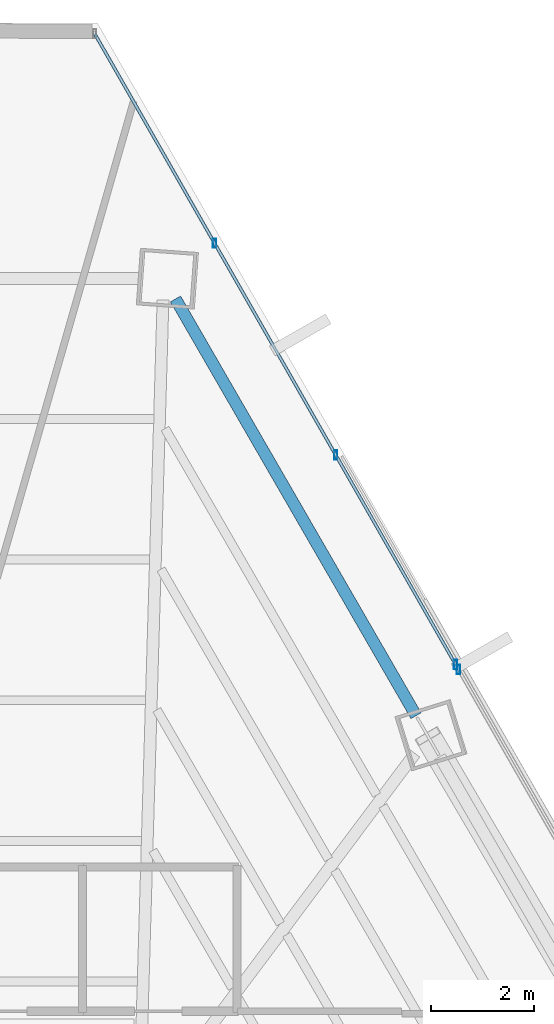
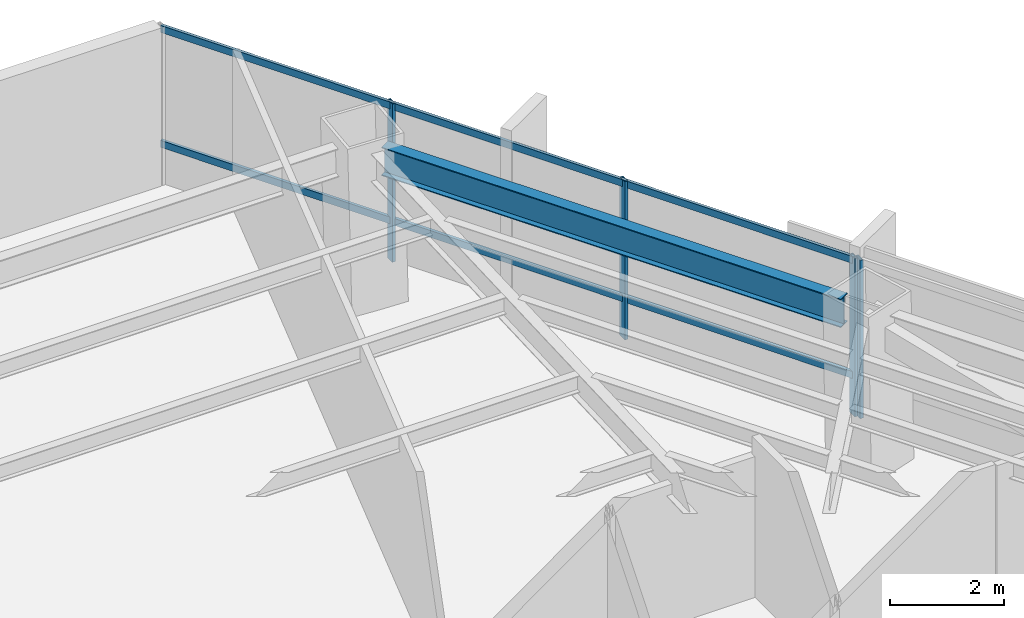
# One storey, part 29 of 36: 6 members, 1 beam, 2 elements without a shape of their own.
"""IFC4 building model written with IfcOpenShell, lengths in metres."""

import ifcopenshell
import ifcopenshell.guid

model = None  # the IFC model being written
_history = None  # IfcOwnerHistory: only IFC2X3 demands one
_inside = {}  # id of a spatial element -> (the spatial element, [elements in it])
_under = {}  # id of a project, library or spatial element -> (it, [spatial elements below it])
_declared = {}  # id of a project -> (the project, [libraries it declares])
_typed = {}  # id of a type object -> (the type object, [elements of that type])
_made_of = {}  # id of a material, layer set ... -> (it, [elements and type objects made of it])


def new_model(schema):
    """Start an empty IFC model of exactly this schema.

    Asked for "IFC4X3", IfcOpenShell would pick the latest addendum, in which some entities
    have other attributes; the version numbers below select the first issue.
    IFC2X3 requires an IfcOwnerHistory on every rooted entity: one is made here for all.
    """
    global model, _history
    if schema == "IFC4X3":
        model = ifcopenshell.file(schema_version=(4, 3, 0, 0))
    else:
        model = ifcopenshell.file(schema=schema)
    _inside.clear()
    _under.clear()
    _declared.clear()
    _typed.clear()
    _made_of.clear()
    _history = None
    if model.schema == "IFC2X3":
        org = make("IfcOrganization", Name="unknown")
        user = make(
            "IfcPersonAndOrganization",
            ThePerson=make("IfcPerson", FamilyName="unknown"),
            TheOrganization=org,
        )
        app = make(
            "IfcApplication",
            ApplicationDeveloper=org,
            Version="unknown",
            ApplicationFullName="unknown",
            ApplicationIdentifier="unknown",
        )
        _history = make(
            "IfcOwnerHistory",
            OwningUser=user,
            OwningApplication=app,
            ChangeAction="ADDED",
            CreationDate=0,
        )
    return model


def make(cls, **values):
    """One entity of the class cls with the attributes given. An attribute that is None is left unset."""
    return model.create_entity(
        cls, **{name: value for name, value in values.items() if value is not None}
    )


def rooted(cls, **values):
    """An entity with a GlobalId (a new one), such as an element, a storey or a relation."""
    return make(cls, GlobalId=ifcopenshell.guid.new(), OwnerHistory=_history, **values)


def si_unit(unit_type, name, prefix=None):
    """IfcSIUnit, for example si_unit("LENGTHUNIT", "METRE", prefix="MILLI")."""
    return make("IfcSIUnit", UnitType=unit_type, Prefix=prefix, Name=name)


def assignment(units):
    """IfcUnitAssignment: the units of a project."""
    return None if units is None else make("IfcUnitAssignment", Units=units)


def point(xyz):
    """IfcCartesianPoint."""
    return None if xyz is None else make("IfcCartesianPoint", Coordinates=xyz)


def direction(xyz):
    """IfcDirection."""
    return None if xyz is None else make("IfcDirection", DirectionRatios=xyz)


def frame(location, z_axis=None, x_axis=None):
    """IfcAxis2Placement3D, a coordinate frame: its origin and axes. An axis left out is left unset."""
    return make(
        "IfcAxis2Placement3D",
        Location=point(location),
        Axis=direction(z_axis),
        RefDirection=direction(x_axis),
    )


def frame_2d(location, x_axis=None):
    """IfcAxis2Placement2D, a coordinate frame in the plane: its origin and x axis."""
    return make(
        "IfcAxis2Placement2D", Location=point(location), RefDirection=direction(x_axis)
    )


def origin():
    """The frame at (0, 0, 0) with its axes left unset."""
    return frame((0.0, 0.0, 0.0))


def origin_2d():
    """The frame at (0, 0) in the plane with its x axis left unset."""
    return frame_2d((0.0, 0.0))


def place(relative_to, where):
    """IfcLocalPlacement: puts the frame where relative to a parent placement (None: the world)."""
    return make(
        "IfcLocalPlacement", PlacementRelTo=relative_to, RelativePlacement=where
    )


def context(
    kind, dimensions, precision=None, world=None, true_north=None, identifier=None
):
    """IfcGeometricRepresentationContext, for example the 3D "Model" context."""
    return make(
        "IfcGeometricRepresentationContext",
        ContextIdentifier=identifier,
        ContextType=kind,
        CoordinateSpaceDimension=dimensions,
        Precision=precision,
        WorldCoordinateSystem=world,
        TrueNorth=true_north,
    )


def subcontext(parent, identifier, kind, view, scale=None):
    """IfcGeometricRepresentationSubContext, for example "Body" below "Model"."""
    return make(
        "IfcGeometricRepresentationSubContext",
        ContextIdentifier=identifier,
        ContextType=kind,
        ParentContext=parent,
        TargetScale=scale,
        TargetView=view,
    )


def project(units=None, contexts=None):
    """IfcProject with its units and contexts."""
    return rooted(
        "IfcProject",
        Name="project",
        RepresentationContexts=contexts,
        UnitsInContext=assignment(units),
    )


def spatial(cls, under=None, at=None, **own):
    """A site, building, storey or space (cls), placed at a placement, below another one or the project."""
    s = rooted(cls, ObjectPlacement=at, **own)
    if under is not None:
        _under.setdefault(under.id(), (under, []))[1].append(s)
    return s


def profile(cls, at=None, kind="AREA", **sizes):
    """A parametric profile (cls). Its sizes go by their IFC names, for example OverallWidth=200.0."""
    return make(cls, ProfileType=kind, Position=at, **sizes)


def hollow_rectangle(**sizes):
    """IfcRectangleHollowProfileDef."""
    return profile("IfcRectangleHollowProfileDef", **sizes)


def i_section(**sizes):
    """IfcIShapeProfileDef."""
    return profile("IfcIShapeProfileDef", **sizes)


def extrude(swept, where, along, depth):
    """IfcExtrudedAreaSolid: the profile swept, set in the frame where, extruded along a direction by depth."""
    return make(
        "IfcExtrudedAreaSolid",
        SweptArea=swept,
        Position=where,
        ExtrudedDirection=direction(along),
        Depth=depth,
    )


def shape(context_of_items, identifier, shape_type, items):
    """IfcShapeRepresentation: the items that make up one representation, for example the "Body"."""
    return make(
        "IfcShapeRepresentation",
        ContextOfItems=context_of_items,
        RepresentationIdentifier=identifier,
        RepresentationType=shape_type,
        Items=items,
    )


def source(mapping_origin, context_of_items, identifier, shape_type, items):
    """IfcRepresentationMap: a shape defined once, which mapped items show again and again."""
    return make(
        "IfcRepresentationMap",
        MappingOrigin=mapping_origin,
        MappedRepresentation=shape(context_of_items, identifier, shape_type, items),
    )


def transform(
    local_origin,
    x_axis=None,
    y_axis=None,
    z_axis=None,
    scale=None,
    scale2=None,
    scale3=None,
    uniform=True,
):
    """IfcCartesianTransformationOperator3D, or its non-uniform kind. x_axis, y_axis, z_axis: its Axis1, 2, 3."""
    if uniform:
        return make(
            "IfcCartesianTransformationOperator3D",
            Axis1=direction(x_axis),
            Axis2=direction(y_axis),
            LocalOrigin=point(local_origin),
            Scale=scale,
            Axis3=direction(z_axis),
        )
    return make(
        "IfcCartesianTransformationOperator3DnonUniform",
        Axis1=direction(x_axis),
        Axis2=direction(y_axis),
        LocalOrigin=point(local_origin),
        Scale=scale,
        Axis3=direction(z_axis),
        Scale2=scale2,
        Scale3=scale3,
    )


def mapped(mapping_source, mapping_target):
    """IfcMappedItem: shows the shape of a source again, moved by a transform."""
    return make(
        "IfcMappedItem", MappingSource=mapping_source, MappingTarget=mapping_target
    )


def material(Name=None, Category=None):
    """IfcMaterial."""
    return make("IfcMaterial", Name=Name, Category=Category)


def material_profile(
    of_material, cross_section, Name=None, Category=None, Priority=None
):
    """IfcMaterialProfile: a cross section and its material."""
    return make(
        "IfcMaterialProfile",
        Name=Name,
        Material=of_material,
        Profile=cross_section,
        Priority=Priority,
        Category=Category,
    )


def profile_set(profiles, Name=None, composite=None):
    """IfcMaterialProfileSet."""
    return make(
        "IfcMaterialProfileSet",
        Name=Name,
        MaterialProfiles=profiles,
        CompositeProfile=composite,
    )


def made_of(thing, what):
    """Note that an element or type object is made of a material, layer set ...; save() writes the relation."""
    if what is not None:
        _made_of.setdefault(what.id(), (what, []))[1].append(thing)
    return thing


def type_object(cls, material=None, **own):
    """A type object (cls), such as IfcWallType, which elements share."""
    return made_of(rooted(cls, **own), material)


def type_shapes(of_type, sources):
    """Give a type object the sources (RepresentationMaps) that its elements show as mapped items."""
    of_type.RepresentationMaps = sources


def element(
    cls,
    number,
    at=None,
    inside=None,
    cuts=None,
    type_object=None,
    material=None,
    context=None,
    identifier="Body",
    shape_type=None,
    held_by="IfcProductDefinitionShape",
    body=None,
    shapes=None,
    **own,
):
    """One element of the class cls, such as IfcWall. Its Tag is "e" and its number.

    at: its placement. inside: the storey or other place that contains it. cuts: it is an
    opening in that element (IfcRelVoidsElement). A single representation is given by context,
    identifier, shape_type and body (its items); several are given by shapes. held_by: the class
    of the entity that holds the representations. save() writes the other relations.
    """
    e = rooted(cls, Tag="e%d" % number, ObjectPlacement=at, **own)
    if body is not None:
        shapes = [shape(context, identifier, shape_type, body)]
    if shapes is not None:
        e.Representation = make(held_by, Representations=shapes)
    if inside is not None:
        _inside.setdefault(inside.id(), (inside, []))[1].append(e)
    if cuts is not None:
        rooted(
            "IfcRelVoidsElement", RelatingBuildingElement=cuts, RelatedOpeningElement=e
        )
    if type_object is not None:
        _typed.setdefault(type_object.id(), (type_object, []))[1].append(e)
    return made_of(e, material)


def aggregate(whole, parts):
    """IfcRelAggregates: a whole, such as a stair, and the parts it consists of."""
    return rooted("IfcRelAggregates", RelatingObject=whole, RelatedObjects=parts)


def save(model, path):
    """Write the relations noted so far, then the file.

    IfcRelAggregates (storeys below a building ...), IfcRelContainedInSpatialStructure (elements
    in a storey), IfcRelDefinesByType, IfcRelAssociatesMaterial and IfcRelDeclares: one each for
    every whole, place, type object, material and project.
    """
    for whole, parts in _under.values():
        aggregate(whole, parts)
    for where, things in _inside.values():
        rooted(
            "IfcRelContainedInSpatialStructure",
            RelatedElements=things,
            RelatingStructure=where,
        )
    for kind, things in _typed.values():
        rooted("IfcRelDefinesByType", RelatedObjects=things, RelatingType=kind)
    for what, things in _made_of.values():
        rooted("IfcRelAssociatesMaterial", RelatedObjects=things, RelatingMaterial=what)
    for by, libraries in _declared.values():
        rooted("IfcRelDeclares", RelatingContext=by, RelatedDefinitions=libraries)
    model.write(path)


model = new_model("IFC4")

# Units and contexts
model_context = context("Model", 3, precision=1e-05, world=origin(), true_north=direction((0.0, 1.0)))
body_context = subcontext(model_context, "Body", "Model", "MODEL_VIEW")
ifc_project = project(units=[si_unit("LENGTHUNIT", "METRE"), si_unit("AREAUNIT", "SQUARE_METRE"), si_unit("VOLUMEUNIT", "CUBIC_METRE"), si_unit("PLANEANGLEUNIT", "RADIAN"), si_unit("MASSUNIT", "GRAM", prefix="KILO")], contexts=[model_context])

# Site, building, storey
site_placement = place(None, origin())
site = spatial("IfcSite", under=ifc_project, at=site_placement, CompositionType="ELEMENT")
building_placement = place(site_placement, origin())
building = spatial("IfcBuilding", under=site, at=building_placement, Name="Caelisora Broadcast Tower", CompositionType="ELEMENT")
storey_placement = place(building_placement, frame((0.0, 0.0, 79.85009765625)))
storey = spatial("IfcBuildingStorey", under=building, at=storey_placement, Name="L20", CompositionType="ELEMENT", Elevation=79.85009765625)

# Beam
ifc_material_1 = material(Name="Steel Grade 350 (AS/NZS 3679.1)", Category="steel")
ifc_material_profile_1 = material_profile(ifc_material_1, i_section(OverallWidth=0.22900390625, OverallDepth=0.611572265625, WebThickness=0.011962890625, FlangeThickness=0.01953125, at=origin_2d()), Name="Steel Grade 350 (AS/NZS 3679.1)")
ifc_profile_set_1 = profile_set([ifc_material_profile_1], Name="Steel Grade 350 (AS/NZS 3679.1)")
beam_type = type_object("IfcBeamType", Name="PG03", PredefinedType="BEAM", material=ifc_profile_set_1)
shared_shape_1 = source(origin(), body_context, "Body", "SweptSolid", [
    extrude(i_section(OverallWidth=0.22900390625, OverallDepth=0.611572265625, WebThickness=0.011962890625, FlangeThickness=0.01953125, at=origin_2d()), origin(), (0.0, 0.0, 1.0), 9.336669921875),
])
type_shapes(beam_type, [shared_shape_1])
beam_placement = place(storey_placement, frame((50.87451171875, 37.885986328125, 3.093994140625), z_axis=(-0.499983508464, 0.866034924968, 0.0), x_axis=(-0.866034924968, -0.499983508464, 0.0)))
element("IfcBeam", 1, at=beam_placement, inside=storey, type_object=beam_type, Name="L20 beam PG03", PredefinedType="BEAM", context=body_context, shape_type="MappedRepresentation", body=[
    mapped(shared_shape_1, transform((0.0, 0.0, 0.0), scale=1.0)),
])

# Curtain wall, members
ifc_material_2 = material(Name="Unitised Aluminium and Low-E Glass Curtain Wall", Category="glass")
curtain_wall_type_1 = type_object("IfcCurtainWallType", Name="CW-Z2", PredefinedType="NOTDEFINED", material=ifc_material_2)
curtain_wall_1_placement = place(storey_placement, origin())
curtain_wall_1 = element("IfcCurtainWall", 2, at=curtain_wall_1_placement, inside=storey, type_object=curtain_wall_type_1, Name="L20 curtain wall CW-Z2", PredefinedType="NOTDEFINED")
ifc_material_3 = material(Name="Aluminium 6063-T6 Anodised Terracotta Bronze", Category="aluminium")
ifc_material_profile_2 = material_profile(ifc_material_3, hollow_rectangle(XDim=0.06494140625, YDim=0.179931640625, WallThickness=0.00341796875, at=origin_2d()), Name="Aluminium 6063-T6 Anodised Terracotta Bronze")
ifc_profile_set_2 = profile_set([ifc_material_profile_2], Name="Aluminium 6063-T6 Anodised Terracotta Bronze")
member_type_1 = type_object("IfcMemberType", Name="CWM-02", PredefinedType="MULLION", material=ifc_profile_set_2)
shared_shape_2 = source(origin(), body_context, "Body", "SweptSolid", [
    extrude(hollow_rectangle(XDim=0.06494140625, YDim=0.179931640625, WallThickness=0.00341796875, at=origin_2d()), origin(), (0.0, 0.0, 1.0), 3.39990234375),
])
type_shapes(member_type_1, [shared_shape_2])
member_1_placement = place(storey_placement, frame((46.965087890625, 47.052490234375, 0.0), z_axis=(0.0, 0.0, 1.0), x_axis=(1.0, 0.0, 0.0)))
member_1 = element("IfcMember", 3, at=member_1_placement, type_object=member_type_1, Name="L20-CW-B01 mullion #1", PredefinedType="MULLION", context=body_context, shape_type="MappedRepresentation", body=[
    mapped(shared_shape_2, transform((0.0, 0.0, 0.0), scale=1.0)),
])
member_2_placement = place(storey_placement, frame((49.316162109375, 42.943115234375, 0.0), z_axis=(0.0, 0.0, 1.0), x_axis=(1.0, 0.0, 0.0)))
member_2 = element("IfcMember", 4, at=member_2_placement, type_object=member_type_1, Name="L20-CW-B01 mullion #2", PredefinedType="MULLION", context=body_context, shape_type="MappedRepresentation", body=[
    mapped(shared_shape_2, transform((0.0, 0.0, 0.0), scale=1.0)),
])
member_3_placement = place(storey_placement, frame((51.642578125, 38.877197265625, 0.0), z_axis=(0.0, 0.0, 1.0), x_axis=(1.0, 0.0, 0.0)))
member_3 = element("IfcMember", 5, at=member_3_placement, type_object=member_type_1, Name="L20-CW-B01 mullion #3", PredefinedType="MULLION", context=body_context, shape_type="MappedRepresentation", body=[
    mapped(shared_shape_2, transform((0.0, 0.0, 0.0), scale=1.0)),
])

# Curtain wall, member
ifc_material_4 = material(Name="Unitised Aluminium Insulated Shadow-Box Spandrel Curtain Wall", Category="aluminium")
curtain_wall_type_2 = type_object("IfcCurtainWallType", Name="CW-SP1", PredefinedType="NOTDEFINED", material=ifc_material_4)
curtain_wall_2_placement = place(storey_placement, origin())
curtain_wall_2 = element("IfcCurtainWall", 6, at=curtain_wall_2_placement, inside=storey, type_object=curtain_wall_type_2, Name="L20 curtain wall CW-SP1", PredefinedType="NOTDEFINED")
member_4_placement = place(storey_placement, frame((51.697021484375, 38.78173828125, 0.0), z_axis=(0.0, 0.0, 1.0), x_axis=(1.0, 0.0, 0.0)))
member_4 = element("IfcMember", 7, at=member_4_placement, type_object=member_type_1, Name="L20-CW-B02 mullion #0", PredefinedType="MULLION", context=body_context, shape_type="MappedRepresentation", body=[
    mapped(shared_shape_2, transform((0.0, 0.0, 0.0), scale=1.0)),
])
aggregate(curtain_wall_2, [member_4])

# Member
ifc_material_profile_3 = material_profile(ifc_material_3, hollow_rectangle(XDim=0.06005859375, YDim=0.14990234375, WallThickness=0.00341796875, at=origin_2d()), Name="Aluminium 6063-T6 Anodised Terracotta Bronze")
ifc_profile_set_3 = profile_set([ifc_material_profile_3], Name="Aluminium 6063-T6 Anodised Terracotta Bronze")
member_type_2 = type_object("IfcMemberType", Name="CWT-02", PredefinedType="USERDEFINED", material=ifc_profile_set_3)
shared_shape_3 = source(origin(), body_context, "Body", "SweptSolid", [
    extrude(hollow_rectangle(XDim=0.06005859375, YDim=0.14990234375, WallThickness=0.00341796875, at=origin_2d()), origin(), (0.0, 0.0, 1.0), 14.103271484375),
])
type_shapes(member_type_2, [shared_shape_3])
member_5_placement = place(storey_placement, frame((44.638916015625, 51.11865234375, 0.849853515625), z_axis=(0.496595609143, -0.867982028028, 0.0), x_axis=(0.867982028028, 0.496595609143, 0.0)))
member_5 = element("IfcMember", 8, at=member_5_placement, type_object=member_type_2, Name="L20-CW-B01 transom #1", ObjectType="TRANSOM", PredefinedType="USERDEFINED", context=body_context, shape_type="MappedRepresentation", body=[
    mapped(shared_shape_3, transform((0.0, 0.0, 0.0), scale=1.0)),
])

member_6_placement = place(storey_placement, frame((44.638916015625, 51.11865234375, 3.31982421875), z_axis=(0.496595609143, -0.867982028028, 0.0), x_axis=(0.867982028028, 0.496595609143, 0.0)))
member_6 = element("IfcMember", 9, at=member_6_placement, type_object=member_type_2, Name="L20-CW-B01 transom #2", ObjectType="TRANSOM", PredefinedType="USERDEFINED", context=body_context, shape_type="MappedRepresentation", body=[
    mapped(shared_shape_3, transform((0.0, 0.0, 0.0), scale=1.0)),
])

aggregate(curtain_wall_1, [member_1, member_2, member_3, member_5, member_6])

save(model, "model.ifc")
